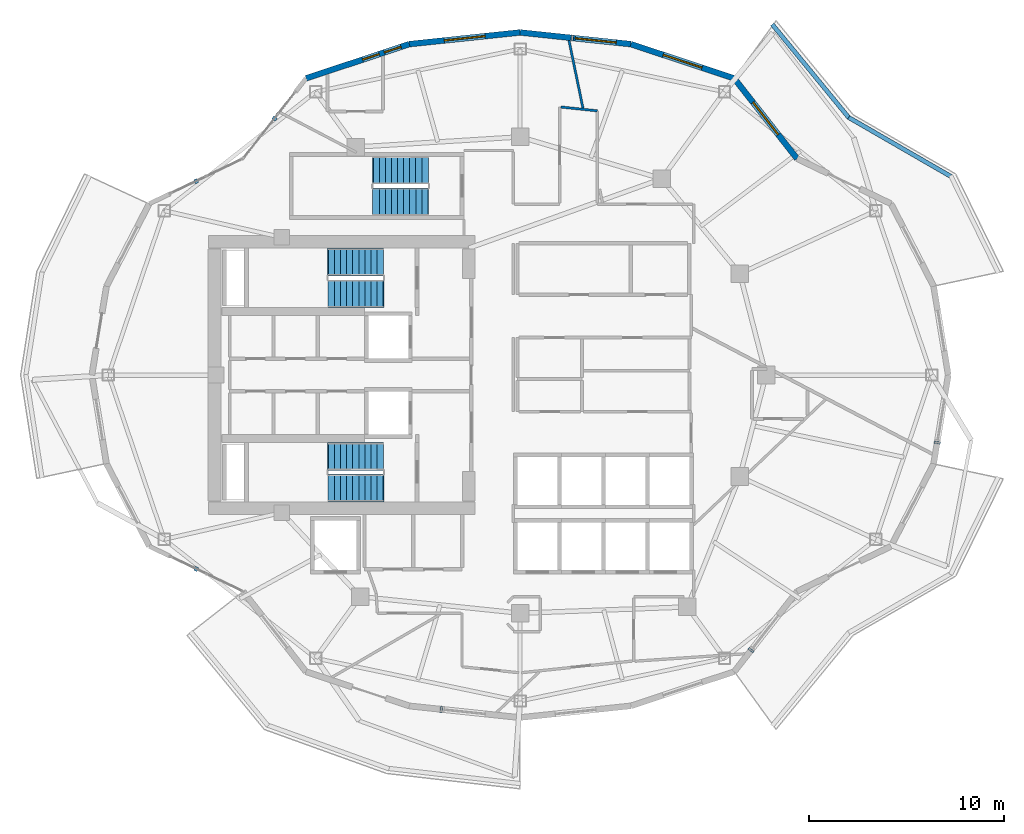
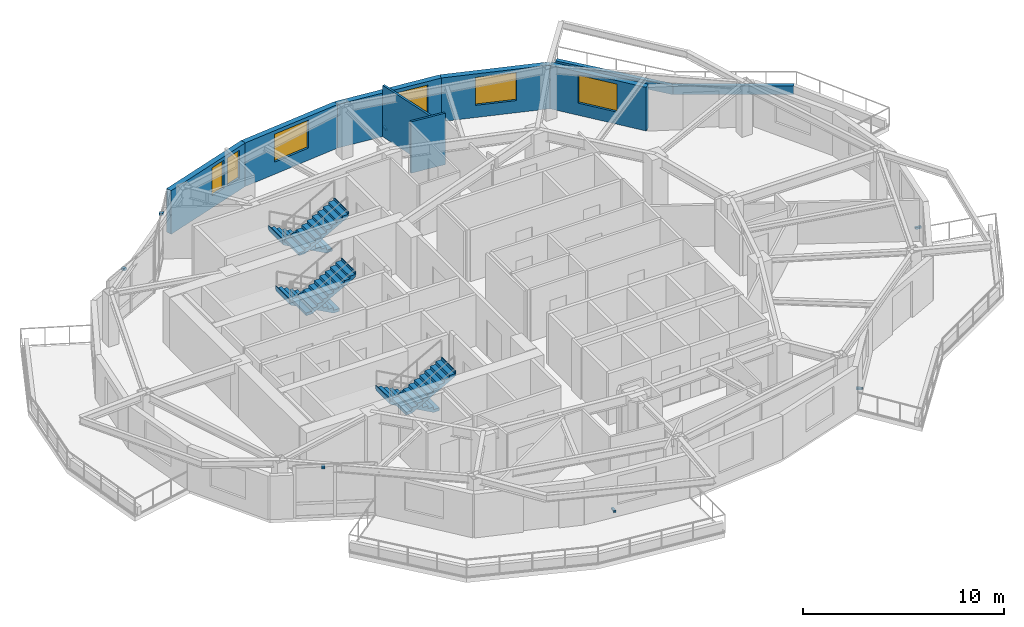
# One storey, part 11 of 13: 9 walls, 7 discrete accessories, 6 stair flights, 6 windows, 6 openings, 3 elements without a shape of their own.
"""IFC4 building model written with IfcOpenShell, lengths in metres."""

from ifc_helpers import new_model, si_unit, direction, frame, frame_2d, origin, origin_2d, place, context, subcontext, project, spatial, polyline, rectangle, outline, extrude, material, layer, layer_set, type_object, element, fill, aggregate, save


model = new_model("IFC4")

# Units and contexts
model_context = context("Model", 3, precision=1e-05, world=origin(), true_north=direction((0.0, 1.0)))
body_context = subcontext(model_context, "Body", "Model", "MODEL_VIEW")
ifc_project = project(units=[si_unit("LENGTHUNIT", "METRE"), si_unit("AREAUNIT", "SQUARE_METRE"), si_unit("VOLUMEUNIT", "CUBIC_METRE"), si_unit("PLANEANGLEUNIT", "RADIAN"), si_unit("MASSUNIT", "GRAM", prefix="KILO")], contexts=[model_context])

# Site, building, storey
site_placement = place(None, origin())
site = spatial("IfcSite", under=ifc_project, at=site_placement, CompositionType="ELEMENT")
building_placement = place(site_placement, origin())
building = spatial("IfcBuilding", under=site, at=building_placement, Name="Kolvaren Gate Tower and Convention Centre", CompositionType="ELEMENT")
storey_placement = place(building_placement, frame((0.0, 0.0, 156.300048828125)))
storey = spatial("IfcBuildingStorey", under=building, at=storey_placement, Name="L40", CompositionType="ELEMENT", Elevation=156.300048828125)

# Walls
ifc_material_1 = material(Name="Fire-Rated Acoustic Gypsum Stud Partition", Category="gypsum")
ifc_layer_1 = layer(ifc_material_1, 0.1201171875)
ifc_layer_set_1 = layer_set([ifc_layer_1], Name="Fire-Rated Acoustic Gypsum Stud Partition")
wall_type_1 = type_object("IfcWallType", Name="ARCH-WL-PART-120", PredefinedType="PARTITIONING", material=ifc_layer_set_1)
wall_1_placement = place(storey_placement, frame((32.2119140625, 40.73046875, 0.0), z_axis=(0.0, 0.0, 1.0), x_axis=(0.994511860417, -0.104623895405, 0.0)))
element("IfcWall", 1, at=wall_1_placement, inside=storey, type_object=wall_type_1, Name="Interior Partition WL-L40-INT-047", PredefinedType="PARTITIONING", context=body_context, shape_type="SweptSolid", body=[
    extrude(rectangle(XDim=1.87841796875, YDim=0.1201171875, at=frame_2d((0.939208984375, 0.0))), origin(), (0.0, 0.0, 1.0), 3.1298828125),
])
wall_2_placement = place(storey_placement, frame((32.63134765625, 44.13330078125, 0.0), z_axis=(0.0, 0.0, 1.0), x_axis=(0.202079954577, -0.979369027465, 0.0)))
element("IfcWall", 2, at=wall_2_placement, inside=storey, type_object=wall_type_1, Name="Interior Partition WL-L40-INT-065", PredefinedType="PARTITIONING", context=body_context, shape_type="SweptSolid", body=[
    extrude(rectangle(XDim=3.53271484375, YDim=0.1201171875, at=frame_2d((1.766357421875, 0.0))), origin(), (0.0, 0.0, 1.0), 3.1298828125),
])
ifc_material_2 = material(Name="Piedmont Cream Honed Limestone Cladding", Category="masonry")
ifc_layer_2 = layer(ifc_material_2, 0.219970703125)
ifc_layer_set_2 = layer_set([ifc_layer_2], Name="Piedmont Cream Honed Limestone Cladding")
wall_type_2 = type_object("IfcWallType", Name="ARCH-WL-PLANTER-220", PredefinedType="PARAPET", material=ifc_layer_set_2)
wall_3_placement = place(storey_placement, frame((46.95751953125, 40.1953125, 0.0), z_axis=(0.0, 0.0, 1.0), x_axis=(0.866058128659, -0.499943314571, 0.0)))
element("IfcWall", 3, at=wall_3_placement, inside=storey, type_object=wall_type_2, Name="Vertical-Forest Balcony Stone Planter Kerb PK-L40-1.2", PredefinedType="PARAPET", context=body_context, shape_type="SweptSolid", body=[
    extrude(rectangle(XDim=6.060302734375, YDim=0.219970703125, at=frame_2d((3.0302734375, 0.0))), origin(), (0.0, 0.0, 1.0), 0.52001953125),
])
wall_4_placement = place(storey_placement, frame((43.0419921875, 44.96435546875, 0.0), z_axis=(0.0, 0.0, 1.0), x_axis=(0.634429234628, -0.77298094818, 0.0)))
element("IfcWall", 4, at=wall_4_placement, inside=storey, type_object=wall_type_2, Name="Vertical-Forest Balcony Stone Planter Kerb PK-L40-1.3", PredefinedType="PARAPET", context=body_context, shape_type="SweptSolid", body=[
    extrude(rectangle(XDim=6.244873046875, YDim=0.219970703125, at=frame_2d((3.12255859375, 0.0))), origin(), (0.0, 0.0, 1.0), 0.52001953125),
])

# Wall, opening, window
ifc_layer_3 = layer(ifc_material_2, 0.300048828125)
ifc_layer_set_3 = layer_set([ifc_layer_3], Name="Piedmont Cream Honed Limestone Cladding")
wall_type_3 = type_object("IfcWallType", Name="ARCH-WL-STONE-300", PredefinedType="SOLIDWALL", material=ifc_layer_set_3)
wall_5_placement = place(storey_placement, frame((41.09375, 42.19873046875, 0.0), z_axis=(0.0, 0.0, 1.0), x_axis=(0.616429245738, -0.787410302828, 0.0)))
wall_5 = element("IfcWall", 5, at=wall_5_placement, inside=storey, type_object=wall_type_3, Name="Tower L40 Honed Stone Spandrel Wall EW-03", PredefinedType="SOLIDWALL", context=body_context, shape_type="SweptSolid", body=[
    extrude(rectangle(XDim=5.22314453125, YDim=0.300048828125, at=frame_2d((2.611572265625, 0.0))), origin(), (0.0, 0.0, 1.0), 2.65283203125),
])
opening_1_placement = place(wall_5_placement, frame((1.56201171875, 0.0, 0.739990234375)))
opening_1 = element("IfcOpeningElement", 6, at=opening_1_placement, cuts=wall_5, Name="Opening W-02", PredefinedType="OPENING", context=body_context, shape_type="SweptSolid", body=[
    extrude(rectangle(XDim=2.10009765625, YDim=1.699951171875, at=frame_2d((1.050048828125, 0.85009765625))), frame((0.0, 0.159912109375, 0.0), z_axis=(0.0, -1.0, 0.0), x_axis=(1.0, 0.0, 0.0)), (0.0, 0.0, 1.0), 0.320068359375),
])
ifc_material_3 = material(Name="Low-E Triple Insulated Glazing Unit 44 mm", Category="glass")
window_type_1 = type_object("IfcWindowType", Name="ARCH-WN-HTL-2100", PartitioningType="SINGLE_PANEL", PredefinedType="WINDOW", material=ifc_material_3)
window_1_placement = place(opening_1_placement, origin())
window_1 = element("IfcWindow", 7, at=window_1_placement, inside=storey, type_object=window_type_1, Name="Tower L40 Punched Stone Facade Window W-03", OverallHeight=1.699951171875, OverallWidth=2.10009765625, PartitioningType="SINGLE_PANEL", PredefinedType="WINDOW", context=body_context, shape_type="SweptSolid", body=[
    extrude(rectangle(XDim=2.10009765625, YDim=1.699951171875, at=frame_2d((1.050048828125, 0.85009765625))), frame((0.0, 0.030029296875, 0.0), z_axis=(0.0, -1.0, 0.0), x_axis=(1.0, 0.0, 0.0)), (0.0, 0.0, 1.0), 0.06005859375),
])
fill(opening_1, window_1)

wall_6_placement = place(storey_placement, frame((35.802734375, 43.951904296875, 0.0), z_axis=(0.0, 0.0, 1.0), x_axis=(0.949246811547, -0.314532177636, 0.0)))
wall_6 = element("IfcWall", 8, at=wall_6_placement, inside=storey, type_object=wall_type_3, Name="Tower L40 Honed Stone Spandrel Wall EW-04", PredefinedType="SOLIDWALL", context=body_context, shape_type="SweptSolid", body=[
    extrude(rectangle(XDim=5.573974609375, YDim=0.300048828125, at=frame_2d((2.787109375, 0.0))), origin(), (0.0, 0.0, 1.0), 2.65283203125),
])
opening_2_placement = place(wall_6_placement, frame((1.737060546875, 0.0, 0.739990234375)))
opening_2 = element("IfcOpeningElement", 9, at=opening_2_placement, cuts=wall_6, Name="Opening W-02", PredefinedType="OPENING", context=body_context, shape_type="SweptSolid", body=[
    extrude(rectangle(XDim=2.10009765625, YDim=1.699951171875, at=frame_2d((1.050048828125, 0.85009765625))), frame((0.0, 0.159912109375, 0.0), z_axis=(0.0, -1.0, 0.0), x_axis=(1.0, 0.0, 0.0)), (0.0, 0.0, 1.0), 0.320068359375),
])
window_2_placement = place(opening_2_placement, origin())
window_2 = element("IfcWindow", 10, at=window_2_placement, inside=storey, type_object=window_type_1, Name="Tower L40 Punched Stone Facade Window W-04", OverallHeight=1.699951171875, OverallWidth=2.10009765625, PartitioningType="SINGLE_PANEL", PredefinedType="WINDOW", context=body_context, shape_type="SweptSolid", body=[
    extrude(rectangle(XDim=2.10009765625, YDim=1.699951171875, at=frame_2d((1.050048828125, 0.85009765625))), frame((0.0, 0.030029296875, 0.0), z_axis=(0.0, -1.0, 0.0), x_axis=(1.0, 0.0, 0.0)), (0.0, 0.0, 1.0), 0.06005859375),
])
fill(opening_2, window_2)

wall_7_placement = place(storey_placement, frame((30.125, 44.550048828125, 0.0), z_axis=(0.0, 0.0, 1.0), x_axis=(0.994496545245, -0.104769372887, 0.0)))
wall_7 = element("IfcWall", 11, at=wall_7_placement, inside=storey, type_object=wall_type_3, Name="Tower L40 Honed Stone Spandrel Wall EW-05", PredefinedType="SOLIDWALL", context=body_context, shape_type="SweptSolid", body=[
    extrude(rectangle(XDim=5.709228515625, YDim=0.300048828125, at=frame_2d((2.8544921875, 0.0))), origin(), (0.0, 0.0, 1.0), 2.65283203125),
])
opening_3_placement = place(wall_7_placement, frame((2.85009765625, 0.0, 0.739990234375)))
opening_3 = element("IfcOpeningElement", 12, at=opening_3_placement, cuts=wall_7, Name="Opening W-02", PredefinedType="OPENING", context=body_context, shape_type="SweptSolid", body=[
    extrude(rectangle(XDim=2.10009765625, YDim=1.699951171875, at=frame_2d((1.050048828125, 0.85009765625))), frame((0.0, 0.159912109375, 0.0), z_axis=(0.0, -1.0, 0.0), x_axis=(1.0, 0.0, 0.0)), (0.0, 0.0, 1.0), 0.320068359375),
])
window_3_placement = place(opening_3_placement, origin())
window_3 = element("IfcWindow", 13, at=window_3_placement, inside=storey, type_object=window_type_1, Name="Tower L40 Punched Stone Facade Window W-05", OverallHeight=1.699951171875, OverallWidth=2.10009765625, PartitioningType="SINGLE_PANEL", PredefinedType="WINDOW", context=body_context, shape_type="SweptSolid", body=[
    extrude(rectangle(XDim=2.10009765625, YDim=1.699951171875, at=frame_2d((1.050048828125, 0.85009765625))), frame((0.0, 0.030029296875, 0.0), z_axis=(0.0, -1.0, 0.0), x_axis=(1.0, 0.0, 0.0)), (0.0, 0.0, 1.0), 0.06005859375),
])
fill(opening_3, window_3)

wall_8_placement = place(storey_placement, frame((24.447265625, 43.951904296875, 0.0), z_axis=(0.0, 0.0, 1.0), x_axis=(0.994496545245, 0.104769372887, 0.0)))
wall_8 = element("IfcWall", 14, at=wall_8_placement, inside=storey, type_object=wall_type_3, Name="Tower L40 Honed Stone Spandrel Wall EW-06", PredefinedType="SOLIDWALL", context=body_context, shape_type="SweptSolid", body=[
    extrude(rectangle(XDim=5.709228515625, YDim=0.300048828125, at=frame_2d((2.8544921875, 0.0))), origin(), (0.0, 0.0, 1.0), 2.65283203125),
])
opening_4_placement = place(wall_8_placement, frame((1.804931640625, 0.0, 0.739990234375)))
opening_4 = element("IfcOpeningElement", 15, at=opening_4_placement, cuts=wall_8, Name="Opening W-02", PredefinedType="OPENING", context=body_context, shape_type="SweptSolid", body=[
    extrude(rectangle(XDim=2.10009765625, YDim=1.699951171875, at=frame_2d((1.050048828125, 0.85009765625))), frame((0.0, 0.159912109375, 0.0), z_axis=(0.0, -1.0, 0.0), x_axis=(1.0, 0.0, 0.0)), (0.0, 0.0, 1.0), 0.320068359375),
])
window_4_placement = place(opening_4_placement, origin())
window_4 = element("IfcWindow", 16, at=window_4_placement, inside=storey, type_object=window_type_1, Name="Tower L40 Punched Stone Facade Window W-06", OverallHeight=1.699951171875, OverallWidth=2.10009765625, PartitioningType="SINGLE_PANEL", PredefinedType="WINDOW", context=body_context, shape_type="SweptSolid", body=[
    extrude(rectangle(XDim=2.10009765625, YDim=1.699951171875, at=frame_2d((1.050048828125, 0.85009765625))), frame((0.0, 0.030029296875, 0.0), z_axis=(0.0, -1.0, 0.0), x_axis=(1.0, 0.0, 0.0)), (0.0, 0.0, 1.0), 0.06005859375),
])
fill(opening_4, window_4)

# Wall, openings, windows
wall_9_placement = place(storey_placement, frame((19.15625, 42.19873046875, 0.0), z_axis=(0.0, 0.0, 1.0), x_axis=(0.949246811547, 0.314532177636, 0.0)))
wall_9 = element("IfcWall", 17, at=wall_9_placement, inside=storey, type_object=wall_type_3, Name="Tower L40 Honed Stone Spandrel Wall EW-07", PredefinedType="SOLIDWALL", context=body_context, shape_type="SweptSolid", body=[
    extrude(rectangle(XDim=5.573974609375, YDim=0.300048828125, at=frame_2d((2.787109375, 0.0))), origin(), (0.0, 0.0, 1.0), 2.65283203125),
])
opening_5_placement = place(wall_9_placement, frame((3.05322265625, 0.0, 0.739990234375)))
opening_5 = element("IfcOpeningElement", 18, at=opening_5_placement, cuts=wall_9, Name="Opening W-06", PredefinedType="OPENING", context=body_context, shape_type="SweptSolid", body=[
    extrude(rectangle(XDim=0.89990234375, YDim=1.699951171875, at=frame_2d((0.449951171875, 0.85009765625))), frame((0.0, 0.159912109375, 0.0), z_axis=(0.0, -1.0, 0.0), x_axis=(1.0, 0.0, 0.0)), (0.0, 0.0, 1.0), 0.320068359375),
])
opening_6_placement = place(wall_9_placement, frame((4.234130859375, 0.0, 0.739990234375)))
opening_6 = element("IfcOpeningElement", 19, at=opening_6_placement, cuts=wall_9, Name="Opening W-06", PredefinedType="OPENING", context=body_context, shape_type="SweptSolid", body=[
    extrude(rectangle(XDim=0.89990234375, YDim=1.699951171875, at=frame_2d((0.449951171875, 0.85009765625))), frame((0.0, 0.159912109375, 0.0), z_axis=(0.0, -1.0, 0.0), x_axis=(1.0, 0.0, 0.0)), (0.0, 0.0, 1.0), 0.320068359375),
])
window_type_2 = type_object("IfcWindowType", Name="ARCH-WN-PUNCH-900", PartitioningType="SINGLE_PANEL", PredefinedType="WINDOW", material=ifc_material_3)
window_5_placement = place(opening_5_placement, origin())
window_5 = element("IfcWindow", 20, at=window_5_placement, inside=storey, type_object=window_type_2, Name="Tower L40 Punched Stone Facade Window W-07", OverallHeight=1.699951171875, OverallWidth=0.89990234375, PartitioningType="SINGLE_PANEL", PredefinedType="WINDOW", context=body_context, shape_type="SweptSolid", body=[
    extrude(rectangle(XDim=0.89990234375, YDim=1.699951171875, at=frame_2d((0.449951171875, 0.85009765625))), frame((0.0, 0.030029296875, 0.0), z_axis=(0.0, -1.0, 0.0), x_axis=(1.0, 0.0, 0.0)), (0.0, 0.0, 1.0), 0.06005859375),
])
fill(opening_5, window_5)
window_6_placement = place(opening_6_placement, origin())
window_6 = element("IfcWindow", 21, at=window_6_placement, inside=storey, type_object=window_type_2, Name="Tower L40 Punched Stone Facade Window W-07B", OverallHeight=1.699951171875, OverallWidth=0.89990234375, PartitioningType="SINGLE_PANEL", PredefinedType="WINDOW", context=body_context, shape_type="SweptSolid", body=[
    extrude(rectangle(XDim=0.89990234375, YDim=1.699951171875, at=frame_2d((0.449951171875, 0.85009765625))), frame((0.0, 0.030029296875, 0.0), z_axis=(0.0, -1.0, 0.0), x_axis=(1.0, 0.0, 0.0)), (0.0, 0.0, 1.0), 0.06005859375),
])
fill(opening_6, window_6)

# Stair, stair flights
ifc_material_4 = material(Name="Concrete C50/60", Category="concrete")
stair_type = type_object("IfcStairType", Name="STR-STAIR-CORE", PredefinedType="HALF_TURN_STAIR", material=ifc_material_4)
stair_1_placement = place(storey_placement, origin())
stair_1 = element("IfcStair", 22, at=stair_1_placement, inside=storey, type_object=stair_type, Name="L40 Tower North Exit Stair ST-T1", PredefinedType="HALF_TURN_STAIR")
stair_flight_type = type_object("IfcStairFlightType", Name="STR-SFL-1420", PredefinedType="STRAIGHT", material=ifc_material_4)
stair_flight_1_placement = place(storey_placement, frame((23.10009765625, 32.7900390625, 0.0), z_axis=(0.0, 0.0, 1.0), x_axis=(-1.0, 0.0, 0.0)))
stair_flight_1 = element("IfcStairFlight", 23, at=stair_flight_1_placement, type_object=stair_flight_type, Name="ST-T1 flight 1", NumberOfRisers=10, NumberOfTreads=9, PredefinedType="STRAIGHT", RiserHeight=0.17, TreadLength=0.31, context=body_context, shape_type="SweptSolid", body=[
    extrude(outline(polyline([(-0.034912109375, 0.0), (-0.034912109375, 0.169921875), (0.31005859375, 0.169921875), (0.31005859375, 0.340087890625), (0.6201171875, 0.340087890625), (0.6201171875, 0.510009765625), (0.929931640625, 0.510009765625), (0.929931640625, 0.679931640625), (1.239990234375, 0.679931640625), (1.239990234375, 0.85009765625), (1.550048828125, 0.85009765625), (1.550048828125, 1.02001953125), (1.860107421875, 1.02001953125), (1.860107421875, 1.18994140625), (2.169921875, 1.18994140625), (2.169921875, 1.360107421875), (2.47998046875, 1.360107421875), (2.47998046875, 1.530029296875), (2.7900390625, 1.530029296875), (2.7900390625, 1.699951171875), (2.8349609375, 1.699951171875), (2.8349609375, 1.5400390625), (2.7900390625, 1.359130859375), (0.311767578125, 0.0), (-0.034912109375, 0.0)])), frame((0.0, 0.7099609375, 0.0), z_axis=(0.0, -1.0, 0.0), x_axis=(1.0, 0.0, 0.0)), (0.0, 0.0, 1.0), 1.419921875),
])
stair_flight_2_placement = place(storey_placement, frame((20.31005859375, 31.169921875, 1.699951171875), z_axis=(0.0, 0.0, 1.0), x_axis=(1.0, 0.0, 0.0)))
stair_flight_2 = element("IfcStairFlight", 24, at=stair_flight_2_placement, type_object=stair_flight_type, Name="ST-T1 flight 2", NumberOfRisers=10, NumberOfTreads=9, PredefinedType="STRAIGHT", RiserHeight=0.17, TreadLength=0.31, context=body_context, shape_type="SweptSolid", body=[
    extrude(outline(polyline([(-0.034912109375, 0.0), (-0.034912109375, 0.169921875), (0.31005859375, 0.169921875), (0.31005859375, 0.340087890625), (0.6201171875, 0.340087890625), (0.6201171875, 0.510009765625), (0.929931640625, 0.510009765625), (0.929931640625, 0.679931640625), (1.239990234375, 0.679931640625), (1.239990234375, 0.85009765625), (1.550048828125, 0.85009765625), (1.550048828125, 1.02001953125), (1.860107421875, 1.02001953125), (1.860107421875, 1.18994140625), (2.169921875, 1.18994140625), (2.169921875, 1.360107421875), (2.47998046875, 1.360107421875), (2.47998046875, 1.530029296875), (2.7900390625, 1.530029296875), (2.7900390625, 1.699951171875), (2.8349609375, 1.699951171875), (2.8349609375, 1.5400390625), (2.7900390625, 1.359130859375), (0.311767578125, 0.0), (-0.034912109375, 0.0)])), frame((0.0, 0.7099609375, 0.0), z_axis=(0.0, -1.0, 0.0), x_axis=(1.0, 0.0, 0.0)), (0.0, 0.0, 1.0), 1.419921875),
])
aggregate(stair_1, [stair_flight_1, stair_flight_2])

stair_2_placement = place(storey_placement, origin())
stair_2 = element("IfcStair", 25, at=stair_2_placement, inside=storey, type_object=stair_type, Name="L40 Tower South Exit Stair ST-T2", PredefinedType="HALF_TURN_STAIR")
stair_flight_3_placement = place(storey_placement, frame((23.10009765625, 22.830078125, 0.0), z_axis=(0.0, 0.0, 1.0), x_axis=(-1.0, 0.0, 0.0)))
stair_flight_3 = element("IfcStairFlight", 26, at=stair_flight_3_placement, type_object=stair_flight_type, Name="ST-T2 flight 1", NumberOfRisers=10, NumberOfTreads=9, PredefinedType="STRAIGHT", RiserHeight=0.17, TreadLength=0.31, context=body_context, shape_type="SweptSolid", body=[
    extrude(outline(polyline([(-0.034912109375, 0.0), (-0.034912109375, 0.169921875), (0.31005859375, 0.169921875), (0.31005859375, 0.340087890625), (0.6201171875, 0.340087890625), (0.6201171875, 0.510009765625), (0.929931640625, 0.510009765625), (0.929931640625, 0.679931640625), (1.239990234375, 0.679931640625), (1.239990234375, 0.85009765625), (1.550048828125, 0.85009765625), (1.550048828125, 1.02001953125), (1.860107421875, 1.02001953125), (1.860107421875, 1.18994140625), (2.169921875, 1.18994140625), (2.169921875, 1.360107421875), (2.47998046875, 1.360107421875), (2.47998046875, 1.530029296875), (2.7900390625, 1.530029296875), (2.7900390625, 1.699951171875), (2.8349609375, 1.699951171875), (2.8349609375, 1.5400390625), (2.7900390625, 1.359130859375), (0.311767578125, 0.0), (-0.034912109375, 0.0)])), frame((0.0, 0.7099609375, 0.0), z_axis=(0.0, -1.0, 0.0), x_axis=(1.0, 0.0, 0.0)), (0.0, 0.0, 1.0), 1.419921875),
])
stair_flight_4_placement = place(storey_placement, frame((20.31005859375, 21.2099609375, 1.699951171875), z_axis=(0.0, 0.0, 1.0), x_axis=(1.0, 0.0, 0.0)))
stair_flight_4 = element("IfcStairFlight", 27, at=stair_flight_4_placement, type_object=stair_flight_type, Name="ST-T2 flight 2", NumberOfRisers=10, NumberOfTreads=9, PredefinedType="STRAIGHT", RiserHeight=0.17, TreadLength=0.31, context=body_context, shape_type="SweptSolid", body=[
    extrude(outline(polyline([(-0.034912109375, 0.0), (-0.034912109375, 0.169921875), (0.31005859375, 0.169921875), (0.31005859375, 0.340087890625), (0.6201171875, 0.340087890625), (0.6201171875, 0.510009765625), (0.929931640625, 0.510009765625), (0.929931640625, 0.679931640625), (1.239990234375, 0.679931640625), (1.239990234375, 0.85009765625), (1.550048828125, 0.85009765625), (1.550048828125, 1.02001953125), (1.860107421875, 1.02001953125), (1.860107421875, 1.18994140625), (2.169921875, 1.18994140625), (2.169921875, 1.360107421875), (2.47998046875, 1.360107421875), (2.47998046875, 1.530029296875), (2.7900390625, 1.530029296875), (2.7900390625, 1.699951171875), (2.8349609375, 1.699951171875), (2.8349609375, 1.5400390625), (2.7900390625, 1.359130859375), (0.311767578125, 0.0), (-0.034912109375, 0.0)])), frame((0.0, 0.7099609375, 0.0), z_axis=(0.0, -1.0, 0.0), x_axis=(1.0, 0.0, 0.0)), (0.0, 0.0, 1.0), 1.419921875),
])
aggregate(stair_2, [stair_flight_3, stair_flight_4])

stair_3_placement = place(storey_placement, origin())
stair_3 = element("IfcStair", 28, at=stair_3_placement, inside=storey, type_object=stair_type, Name="L40 Tower Mid-Zone Exit Stair ST-T3", PredefinedType="HALF_TURN_STAIR")
stair_flight_5_placement = place(storey_placement, frame((25.39990234375, 37.489990234375, 0.0), z_axis=(0.0, 0.0, 1.0), x_axis=(-1.0, 0.0, 0.0)))
stair_flight_5 = element("IfcStairFlight", 29, at=stair_flight_5_placement, type_object=stair_flight_type, Name="ST-T3 flight 1", NumberOfRisers=10, NumberOfTreads=9, PredefinedType="STRAIGHT", RiserHeight=0.17, TreadLength=0.31, context=body_context, shape_type="SweptSolid", body=[
    extrude(outline(polyline([(-0.034912109375, 0.0), (-0.034912109375, 0.169921875), (0.31005859375, 0.169921875), (0.31005859375, 0.340087890625), (0.6201171875, 0.340087890625), (0.6201171875, 0.510009765625), (0.929931640625, 0.510009765625), (0.929931640625, 0.679931640625), (1.239990234375, 0.679931640625), (1.239990234375, 0.85009765625), (1.550048828125, 0.85009765625), (1.550048828125, 1.02001953125), (1.860107421875, 1.02001953125), (1.860107421875, 1.18994140625), (2.169921875, 1.18994140625), (2.169921875, 1.360107421875), (2.47998046875, 1.360107421875), (2.47998046875, 1.530029296875), (2.7900390625, 1.530029296875), (2.7900390625, 1.699951171875), (2.8349609375, 1.699951171875), (2.8349609375, 1.5400390625), (2.7900390625, 1.359130859375), (0.311767578125, 0.0), (-0.034912109375, 0.0)])), frame((0.0, 0.7099609375, 0.0), z_axis=(0.0, -1.0, 0.0), x_axis=(1.0, 0.0, 0.0)), (0.0, 0.0, 1.0), 1.419921875),
])
stair_flight_6_placement = place(storey_placement, frame((22.610107421875, 35.8701171875, 1.699951171875), z_axis=(0.0, 0.0, 1.0), x_axis=(1.0, 0.0, 0.0)))
stair_flight_6 = element("IfcStairFlight", 30, at=stair_flight_6_placement, type_object=stair_flight_type, Name="ST-T3 flight 2", NumberOfRisers=10, NumberOfTreads=9, PredefinedType="STRAIGHT", RiserHeight=0.17, TreadLength=0.31, context=body_context, shape_type="SweptSolid", body=[
    extrude(outline(polyline([(-0.034912109375, 0.0), (-0.034912109375, 0.169921875), (0.31005859375, 0.169921875), (0.31005859375, 0.340087890625), (0.6201171875, 0.340087890625), (0.6201171875, 0.510009765625), (0.929931640625, 0.510009765625), (0.929931640625, 0.679931640625), (1.239990234375, 0.679931640625), (1.239990234375, 0.85009765625), (1.550048828125, 0.85009765625), (1.550048828125, 1.02001953125), (1.860107421875, 1.02001953125), (1.860107421875, 1.18994140625), (2.169921875, 1.18994140625), (2.169921875, 1.360107421875), (2.47998046875, 1.360107421875), (2.47998046875, 1.530029296875), (2.7900390625, 1.530029296875), (2.7900390625, 1.699951171875), (2.8349609375, 1.699951171875), (2.8349609375, 1.5400390625), (2.7900390625, 1.359130859375), (0.311767578125, 0.0), (-0.034912109375, 0.0)])), frame((0.0, 0.7099609375, 0.0), z_axis=(0.0, -1.0, 0.0), x_axis=(1.0, 0.0, 0.0)), (0.0, 0.0, 1.0), 1.419921875),
])
aggregate(stair_3, [stair_flight_5, stair_flight_6])

# Discrete accessories
ifc_material_5 = material(Name="Anodized Architectural Aluminium Alloy 6063-T6", Category="aluminium")
discrete_accessory_type = type_object("IfcDiscreteAccessoryType", Name="ARCH-ACC-BRACKET-120", PredefinedType="BRACKET", material=ifc_material_5)
discrete_accessory_placement = place(storey_placement, frame((32.80029296875, 44.268310546875, 0.289794921875), z_axis=(0.0, 0.0, 1.0), x_axis=(0.994499249941, -0.104743696069, 0.0)))
element("IfcDiscreteAccessory", 31, at=discrete_accessory_placement, inside=storey, type_object=discrete_accessory_type, Name="Ceramic Fin Wall Anchor Bracket FBK-L40-05", PredefinedType="BRACKET", context=body_context, shape_type="SweptSolid", body=[
    extrude(rectangle(XDim=0.1201171875, YDim=0.320068359375, at=origin_2d()), origin(), (0.0, 0.0, 1.0), 0.1201171875),
])
for number, where, z_axis, x_axis, name in (
    (32, (17.54638671875, 40.142333984375, 2.949951171875), (0.0, 0.0, 1.0), (0.616446487588, 0.787396804629, 0.0), "Solar Screen Spandrel Anchor Bracket BK-L40-08"),
    (33, (13.531494140625, 36.930419921875, 2.949951171875), (0.0, 0.0, 1.0), (0.901358389955, 0.433073957723, 0.0), "Solar Screen Spandrel Anchor Bracket BK-L40-09"),
    (34, (13.531494140625, 17.069580078125, 2.949951171875), (0.0, 0.0, 1.0), (0.901358389955, -0.433073957723, 0.0), "Solar Screen Spandrel Anchor Bracket BK-L40-14"),
):
    element("IfcDiscreteAccessory", number, at=place(storey_placement, frame(where, z_axis=z_axis, x_axis=x_axis)), inside=storey, type_object=discrete_accessory_type, Name=name, PredefinedType="BRACKET", context=body_context, shape_type="SweptSolid", body=[
        extrude(rectangle(XDim=0.179931640625, YDim=0.219970703125, at=origin_2d()), origin(), (0.0, 0.0, 1.0), 0.1201171875),
    ])
for number, where, z_axis, x_axis, name in (
    (35, (26.083251953125, 9.875732421875, 0.289794921875), (0.0, 0.0, 1.0), (0.994499249941, -0.104743696069, 0.0), "Ceramic Fin Wall Anchor Bracket FBK-L40-17"),
    (36, (41.9580078125, 12.9052734375, 0.289794921875), (0.0, 0.0, 1.0), (0.616434119112, 0.787406487651, 0.0), "Ceramic Fin Wall Anchor Bracket FBK-L40-20"),
    (37, (51.4921875, 23.53515625, 0.289794921875), (0.0, 0.0, 1.0), (0.162380568014, 0.986728205298, 0.0), "Ceramic Fin Wall Anchor Bracket FBK-L40-23"),
):
    element("IfcDiscreteAccessory", number, at=place(storey_placement, frame(where, z_axis=z_axis, x_axis=x_axis)), inside=storey, type_object=discrete_accessory_type, Name=name, PredefinedType="BRACKET", context=body_context, shape_type="SweptSolid", body=[
        extrude(rectangle(XDim=0.1201171875, YDim=0.320068359375, at=origin_2d()), origin(), (0.0, 0.0, 1.0), 0.1201171875),
    ])

save(model, "model.ifc")
